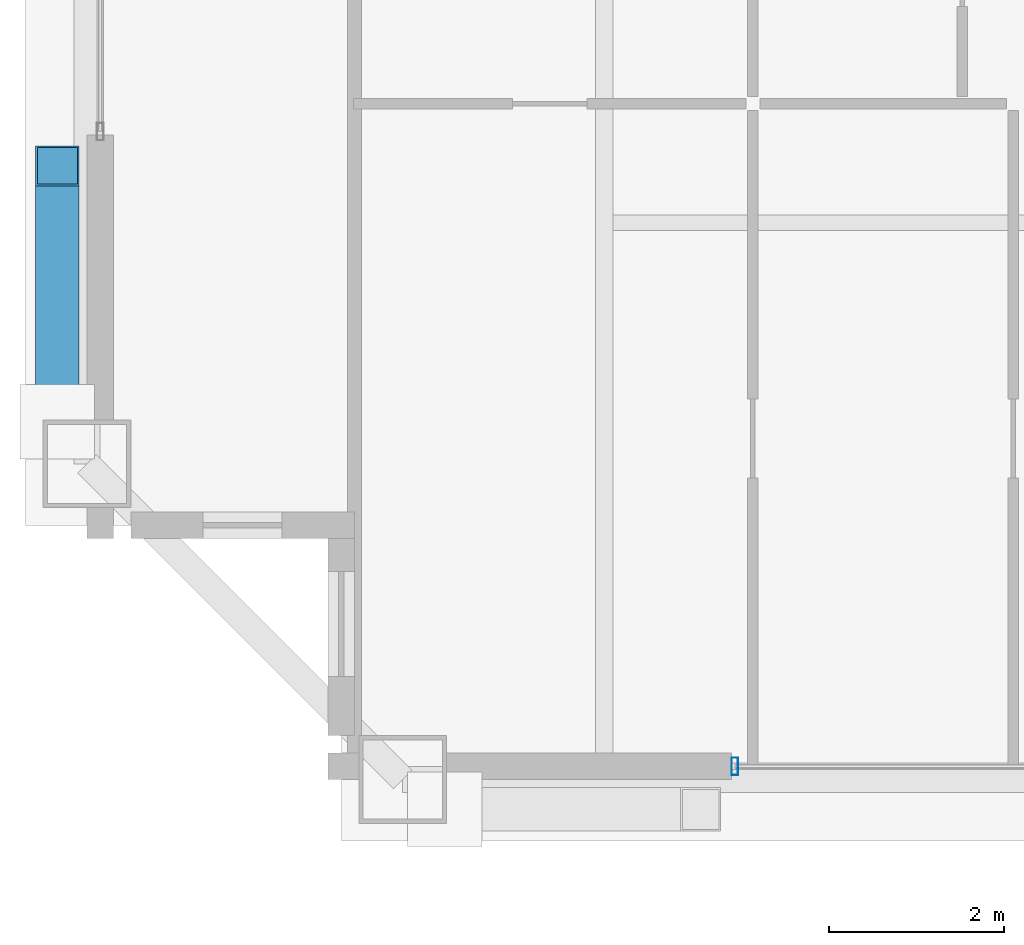
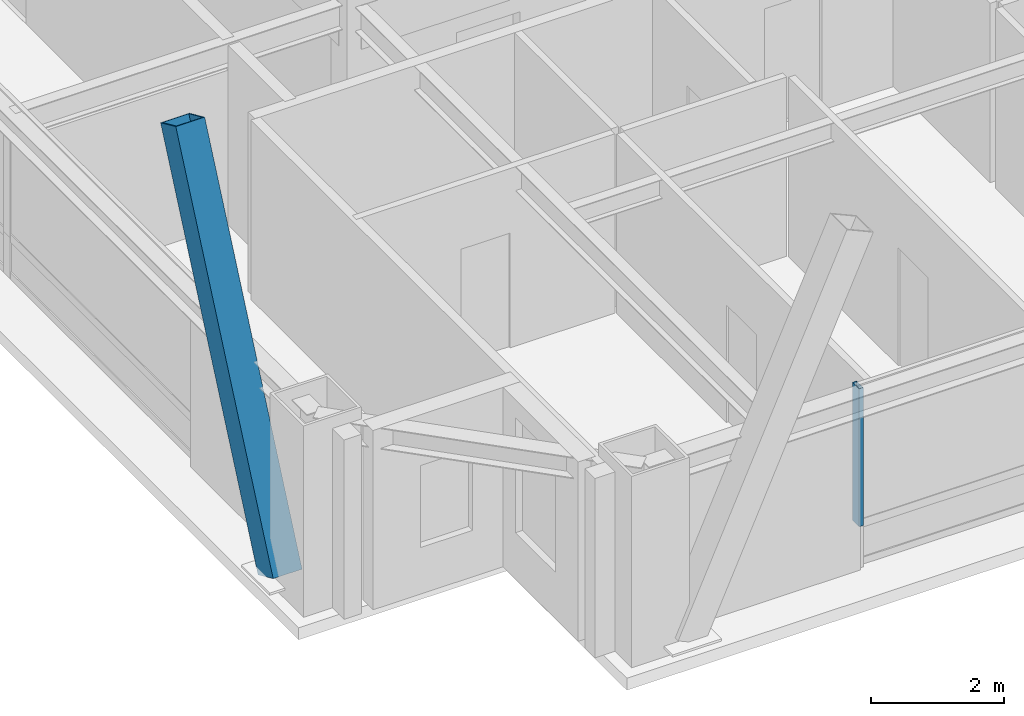
# One storey, part 4 of 34: 2 members, 1 element without a shape of its own.
"""IFC4 building model written with IfcOpenShell, lengths in metres."""

import ifcopenshell
import ifcopenshell.guid

model = None  # the IFC model being written
_history = None  # IfcOwnerHistory: only IFC2X3 demands one
_inside = {}  # id of a spatial element -> (the spatial element, [elements in it])
_under = {}  # id of a project, library or spatial element -> (it, [spatial elements below it])
_declared = {}  # id of a project -> (the project, [libraries it declares])
_typed = {}  # id of a type object -> (the type object, [elements of that type])
_made_of = {}  # id of a material, layer set ... -> (it, [elements and type objects made of it])


def new_model(schema):
    """Start an empty IFC model of exactly this schema.

    Asked for "IFC4X3", IfcOpenShell would pick the latest addendum, in which some entities
    have other attributes; the version numbers below select the first issue.
    IFC2X3 requires an IfcOwnerHistory on every rooted entity: one is made here for all.
    """
    global model, _history
    if schema == "IFC4X3":
        model = ifcopenshell.file(schema_version=(4, 3, 0, 0))
    else:
        model = ifcopenshell.file(schema=schema)
    _inside.clear()
    _under.clear()
    _declared.clear()
    _typed.clear()
    _made_of.clear()
    _history = None
    if model.schema == "IFC2X3":
        org = make("IfcOrganization", Name="unknown")
        user = make(
            "IfcPersonAndOrganization",
            ThePerson=make("IfcPerson", FamilyName="unknown"),
            TheOrganization=org,
        )
        app = make(
            "IfcApplication",
            ApplicationDeveloper=org,
            Version="unknown",
            ApplicationFullName="unknown",
            ApplicationIdentifier="unknown",
        )
        _history = make(
            "IfcOwnerHistory",
            OwningUser=user,
            OwningApplication=app,
            ChangeAction="ADDED",
            CreationDate=0,
        )
    return model


def make(cls, **values):
    """One entity of the class cls with the attributes given. An attribute that is None is left unset."""
    return model.create_entity(
        cls, **{name: value for name, value in values.items() if value is not None}
    )


def rooted(cls, **values):
    """An entity with a GlobalId (a new one), such as an element, a storey or a relation."""
    return make(cls, GlobalId=ifcopenshell.guid.new(), OwnerHistory=_history, **values)


def si_unit(unit_type, name, prefix=None):
    """IfcSIUnit, for example si_unit("LENGTHUNIT", "METRE", prefix="MILLI")."""
    return make("IfcSIUnit", UnitType=unit_type, Prefix=prefix, Name=name)


def assignment(units):
    """IfcUnitAssignment: the units of a project."""
    return None if units is None else make("IfcUnitAssignment", Units=units)


def point(xyz):
    """IfcCartesianPoint."""
    return None if xyz is None else make("IfcCartesianPoint", Coordinates=xyz)


def direction(xyz):
    """IfcDirection."""
    return None if xyz is None else make("IfcDirection", DirectionRatios=xyz)


def frame(location, z_axis=None, x_axis=None):
    """IfcAxis2Placement3D, a coordinate frame: its origin and axes. An axis left out is left unset."""
    return make(
        "IfcAxis2Placement3D",
        Location=point(location),
        Axis=direction(z_axis),
        RefDirection=direction(x_axis),
    )


def frame_2d(location, x_axis=None):
    """IfcAxis2Placement2D, a coordinate frame in the plane: its origin and x axis."""
    return make(
        "IfcAxis2Placement2D", Location=point(location), RefDirection=direction(x_axis)
    )


def origin():
    """The frame at (0, 0, 0) with its axes left unset."""
    return frame((0.0, 0.0, 0.0))


def origin_2d():
    """The frame at (0, 0) in the plane with its x axis left unset."""
    return frame_2d((0.0, 0.0))


def place(relative_to, where):
    """IfcLocalPlacement: puts the frame where relative to a parent placement (None: the world)."""
    return make(
        "IfcLocalPlacement", PlacementRelTo=relative_to, RelativePlacement=where
    )


def context(
    kind, dimensions, precision=None, world=None, true_north=None, identifier=None
):
    """IfcGeometricRepresentationContext, for example the 3D "Model" context."""
    return make(
        "IfcGeometricRepresentationContext",
        ContextIdentifier=identifier,
        ContextType=kind,
        CoordinateSpaceDimension=dimensions,
        Precision=precision,
        WorldCoordinateSystem=world,
        TrueNorth=true_north,
    )


def subcontext(parent, identifier, kind, view, scale=None):
    """IfcGeometricRepresentationSubContext, for example "Body" below "Model"."""
    return make(
        "IfcGeometricRepresentationSubContext",
        ContextIdentifier=identifier,
        ContextType=kind,
        ParentContext=parent,
        TargetScale=scale,
        TargetView=view,
    )


def project(units=None, contexts=None):
    """IfcProject with its units and contexts."""
    return rooted(
        "IfcProject",
        Name="project",
        RepresentationContexts=contexts,
        UnitsInContext=assignment(units),
    )


def spatial(cls, under=None, at=None, **own):
    """A site, building, storey or space (cls), placed at a placement, below another one or the project."""
    s = rooted(cls, ObjectPlacement=at, **own)
    if under is not None:
        _under.setdefault(under.id(), (under, []))[1].append(s)
    return s


def profile(cls, at=None, kind="AREA", **sizes):
    """A parametric profile (cls). Its sizes go by their IFC names, for example OverallWidth=200.0."""
    return make(cls, ProfileType=kind, Position=at, **sizes)


def hollow_rectangle(**sizes):
    """IfcRectangleHollowProfileDef."""
    return profile("IfcRectangleHollowProfileDef", **sizes)


def extrude(swept, where, along, depth):
    """IfcExtrudedAreaSolid: the profile swept, set in the frame where, extruded along a direction by depth."""
    return make(
        "IfcExtrudedAreaSolid",
        SweptArea=swept,
        Position=where,
        ExtrudedDirection=direction(along),
        Depth=depth,
    )


def shape(context_of_items, identifier, shape_type, items):
    """IfcShapeRepresentation: the items that make up one representation, for example the "Body"."""
    return make(
        "IfcShapeRepresentation",
        ContextOfItems=context_of_items,
        RepresentationIdentifier=identifier,
        RepresentationType=shape_type,
        Items=items,
    )


def source(mapping_origin, context_of_items, identifier, shape_type, items):
    """IfcRepresentationMap: a shape defined once, which mapped items show again and again."""
    return make(
        "IfcRepresentationMap",
        MappingOrigin=mapping_origin,
        MappedRepresentation=shape(context_of_items, identifier, shape_type, items),
    )


def transform(
    local_origin,
    x_axis=None,
    y_axis=None,
    z_axis=None,
    scale=None,
    scale2=None,
    scale3=None,
    uniform=True,
):
    """IfcCartesianTransformationOperator3D, or its non-uniform kind. x_axis, y_axis, z_axis: its Axis1, 2, 3."""
    if uniform:
        return make(
            "IfcCartesianTransformationOperator3D",
            Axis1=direction(x_axis),
            Axis2=direction(y_axis),
            LocalOrigin=point(local_origin),
            Scale=scale,
            Axis3=direction(z_axis),
        )
    return make(
        "IfcCartesianTransformationOperator3DnonUniform",
        Axis1=direction(x_axis),
        Axis2=direction(y_axis),
        LocalOrigin=point(local_origin),
        Scale=scale,
        Axis3=direction(z_axis),
        Scale2=scale2,
        Scale3=scale3,
    )


def mapped(mapping_source, mapping_target):
    """IfcMappedItem: shows the shape of a source again, moved by a transform."""
    return make(
        "IfcMappedItem", MappingSource=mapping_source, MappingTarget=mapping_target
    )


def material(Name=None, Category=None):
    """IfcMaterial."""
    return make("IfcMaterial", Name=Name, Category=Category)


def layer(
    of_material, thickness, ventilated=None, Name=None, Category=None, Priority=None
):
    """IfcMaterialLayer: one layer of a wall or slab, of a material (None: an air gap)."""
    return make(
        "IfcMaterialLayer",
        Material=of_material,
        LayerThickness=thickness,
        IsVentilated=ventilated,
        Name=Name,
        Category=Category,
        Priority=Priority,
    )


def layer_set(layers, Name=None):
    """IfcMaterialLayerSet."""
    return make("IfcMaterialLayerSet", MaterialLayers=layers, LayerSetName=Name)


def material_profile(
    of_material, cross_section, Name=None, Category=None, Priority=None
):
    """IfcMaterialProfile: a cross section and its material."""
    return make(
        "IfcMaterialProfile",
        Name=Name,
        Material=of_material,
        Profile=cross_section,
        Priority=Priority,
        Category=Category,
    )


def profile_set(profiles, Name=None, composite=None):
    """IfcMaterialProfileSet."""
    return make(
        "IfcMaterialProfileSet",
        Name=Name,
        MaterialProfiles=profiles,
        CompositeProfile=composite,
    )


def made_of(thing, what):
    """Note that an element or type object is made of a material, layer set ...; save() writes the relation."""
    if what is not None:
        _made_of.setdefault(what.id(), (what, []))[1].append(thing)
    return thing


def type_object(cls, material=None, **own):
    """A type object (cls), such as IfcWallType, which elements share."""
    return made_of(rooted(cls, **own), material)


def element(
    cls,
    number,
    at=None,
    inside=None,
    cuts=None,
    type_object=None,
    material=None,
    context=None,
    identifier="Body",
    shape_type=None,
    held_by="IfcProductDefinitionShape",
    body=None,
    shapes=None,
    **own,
):
    """One element of the class cls, such as IfcWall. Its Tag is "e" and its number.

    at: its placement. inside: the storey or other place that contains it. cuts: it is an
    opening in that element (IfcRelVoidsElement). A single representation is given by context,
    identifier, shape_type and body (its items); several are given by shapes. held_by: the class
    of the entity that holds the representations. save() writes the other relations.
    """
    e = rooted(cls, Tag="e%d" % number, ObjectPlacement=at, **own)
    if body is not None:
        shapes = [shape(context, identifier, shape_type, body)]
    if shapes is not None:
        e.Representation = make(held_by, Representations=shapes)
    if inside is not None:
        _inside.setdefault(inside.id(), (inside, []))[1].append(e)
    if cuts is not None:
        rooted(
            "IfcRelVoidsElement", RelatingBuildingElement=cuts, RelatedOpeningElement=e
        )
    if type_object is not None:
        _typed.setdefault(type_object.id(), (type_object, []))[1].append(e)
    return made_of(e, material)


def aggregate(whole, parts):
    """IfcRelAggregates: a whole, such as a stair, and the parts it consists of."""
    return rooted("IfcRelAggregates", RelatingObject=whole, RelatedObjects=parts)


def save(model, path):
    """Write the relations noted so far, then the file.

    IfcRelAggregates (storeys below a building ...), IfcRelContainedInSpatialStructure (elements
    in a storey), IfcRelDefinesByType, IfcRelAssociatesMaterial and IfcRelDeclares: one each for
    every whole, place, type object, material and project.
    """
    for whole, parts in _under.values():
        aggregate(whole, parts)
    for where, things in _inside.values():
        rooted(
            "IfcRelContainedInSpatialStructure",
            RelatedElements=things,
            RelatingStructure=where,
        )
    for kind, things in _typed.values():
        rooted("IfcRelDefinesByType", RelatedObjects=things, RelatingType=kind)
    for what, things in _made_of.values():
        rooted("IfcRelAssociatesMaterial", RelatedObjects=things, RelatingMaterial=what)
    for by, libraries in _declared.values():
        rooted("IfcRelDeclares", RelatingContext=by, RelatedDefinitions=libraries)
    model.write(path)


model = new_model("IFC4")

# Units and contexts
model_context = context("Model", 3, precision=1e-05, world=origin(), true_north=direction((0.0, 1.0)))
body_context = subcontext(model_context, "Body", "Model", "MODEL_VIEW")
ifc_project = project(units=[si_unit("LENGTHUNIT", "METRE"), si_unit("AREAUNIT", "SQUARE_METRE"), si_unit("VOLUMEUNIT", "CUBIC_METRE"), si_unit("PLANEANGLEUNIT", "RADIAN"), si_unit("MASSUNIT", "GRAM", prefix="KILO"), si_unit("THERMODYNAMICTEMPERATUREUNIT", "KELVIN"), si_unit("POWERUNIT", "WATT")], contexts=[model_context])

# Site, building, storey
site_placement = place(None, origin())
site = spatial("IfcSite", under=ifc_project, at=site_placement, CompositionType="ELEMENT")
building_placement = place(site_placement, origin())
building = spatial("IfcBuilding", under=site, at=building_placement, Name="Yuzanri Waterfront Tower", CompositionType="ELEMENT")
storey_placement = place(building_placement, frame((0.0, 0.0, 328.699951171875)))
storey = spatial("IfcBuildingStorey", under=building, at=storey_placement, Name="L88", CompositionType="ELEMENT", Elevation=328.699951171875)

# Member
ifc_material_1 = material(Name="Steel Q390GJC", Category="steel")
ifc_material_profile_1 = material_profile(ifc_material_1, hollow_rectangle(XDim=0.5, YDim=0.5, WallThickness=0.02197265625, at=origin_2d()), Name="RHS 500x500x22")
ifc_profile_set_1 = profile_set([ifc_material_profile_1], Name="Steel Q390GJC")
member_type_1 = type_object("IfcMemberType", Name="Mega Brace Upper Q390GJC RHS 500x500x22", PredefinedType="BRACE", material=ifc_profile_set_1)
shared_shape_1 = source(origin(), body_context, "Body", "SweptSolid", [
    extrude(hollow_rectangle(XDim=0.5, YDim=0.5, WallThickness=0.02197265625, at=origin_2d()), origin(), (0.0, 0.0, 1.0), 7.125732421875),
])
member_1_placement = place(storey_placement, frame((17.56005859375, 10.780029296875, 0.179931640625), z_axis=(0.0, 0.409771952938, 0.912187999584), x_axis=(-1.0, 0.0, 0.0)))
element("IfcMember", 1, at=member_1_placement, inside=storey, type_object=member_type_1, Name="L88-L89 Perimeter Mega-Brace W-L", PredefinedType="BRACE", context=body_context, shape_type="MappedRepresentation", body=[
    mapped(shared_shape_1, transform((0.0, 0.0, 0.0), scale=1.0)),
])

# Curtain wall, member
ifc_material_2 = material(Name="Anodized Architectural Bronze", Category="metal")
ifc_layer = layer(ifc_material_2, 0.159912109375)
ifc_layer_set = layer_set([ifc_layer], Name="Anodized Architectural Bronze")
curtain_wall_type = type_object("IfcCurtainWallType", Name="Anodized Bronze High-Rise Penthouse High-Wind Unitized Curtain Wall 6900", PredefinedType="NOTDEFINED", material=ifc_layer_set)
curtain_wall_placement = place(storey_placement, origin())
curtain_wall = element("IfcCurtainWall", 2, at=curtain_wall_placement, inside=storey, type_object=curtain_wall_type, Name="L88 Curtain Wall CW-L88-SL", PredefinedType="NOTDEFINED")
ifc_material_3 = material(Name="Anodized Architectural Bronze", Category="metal")
ifc_material_profile_2 = material_profile(ifc_material_3, hollow_rectangle(XDim=0.074951171875, YDim=0.199951171875, WallThickness=0.00390625, at=origin_2d()), Name="CWM 75x200")
ifc_profile_set_2 = profile_set([ifc_material_profile_2], Name="Anodized Architectural Bronze")
member_type_2 = type_object("IfcMemberType", Name="Anodized Bronze Primary Curtain-Wall Mullion 75x200", PredefinedType="MULLION", material=ifc_profile_set_2)
shared_shape_2 = source(origin(), body_context, "Body", "SweptSolid", [
    extrude(hollow_rectangle(XDim=0.074951171875, YDim=0.199951171875, WallThickness=0.00390625, at=origin_2d()), origin(), (0.0, 0.0, 1.0), 2.52392578125),
])
member_2_placement = place(storey_placement, frame((25.2900390625, 6.85009765625, 0.756103515625), z_axis=(0.0, 0.0, 1.0), x_axis=(1.0, 0.0, 0.0)))
member_2 = element("IfcMember", 3, at=member_2_placement, type_object=member_type_2, Name="CW-L88-SL Upper Mullion 00", PredefinedType="MULLION", context=body_context, shape_type="MappedRepresentation", body=[
    mapped(shared_shape_2, transform((0.0, 0.0, 0.0), scale=1.0)),
])
aggregate(curtain_wall, [member_2])

save(model, "model.ifc")
